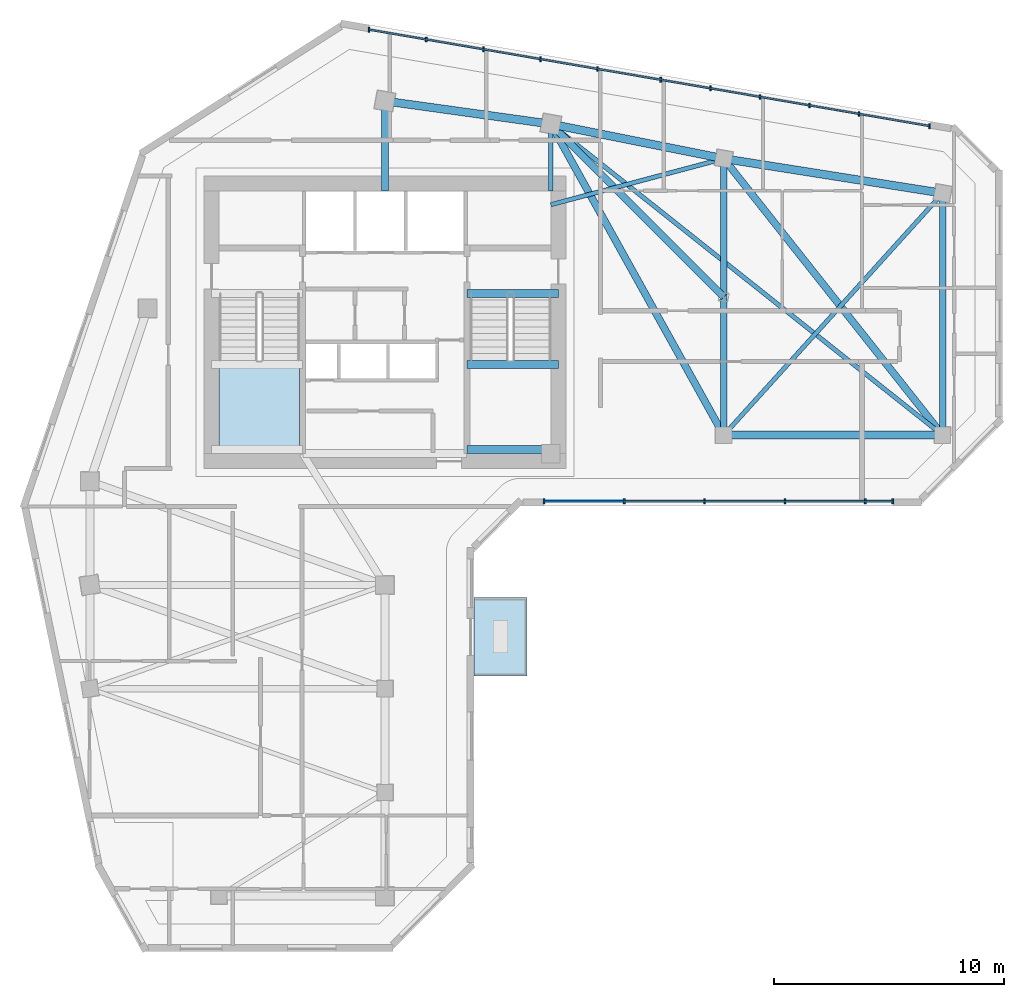
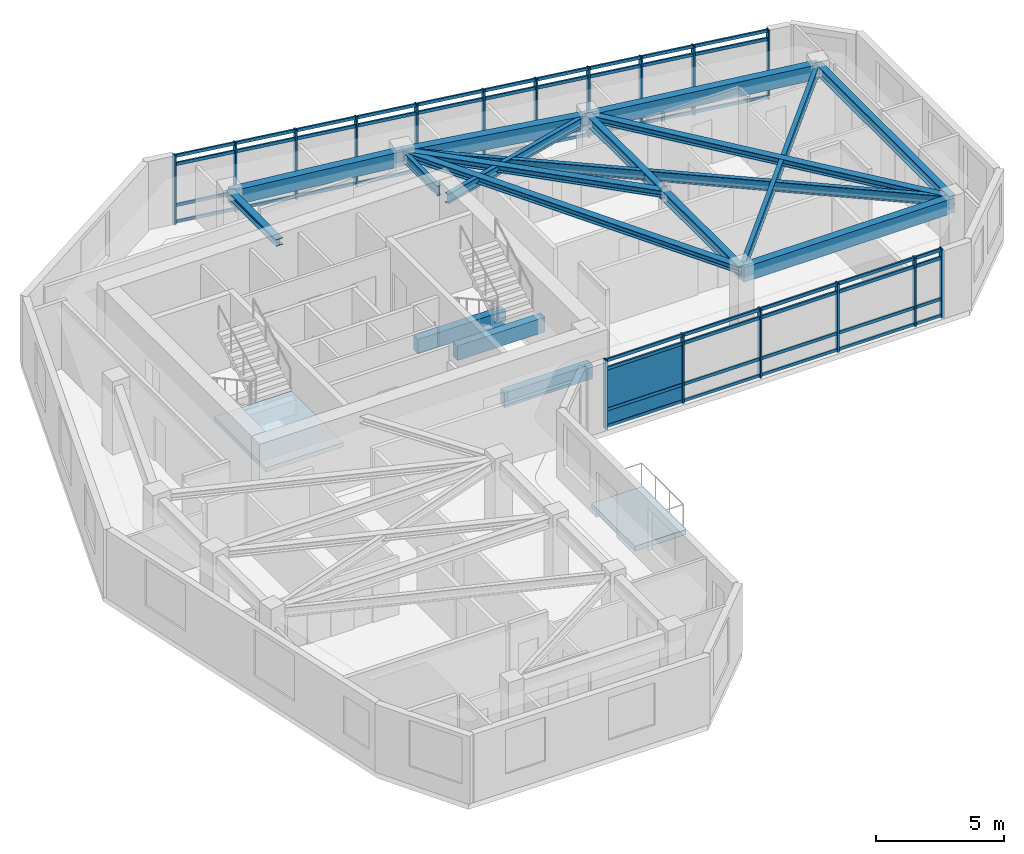
# One storey, part 2 of 10: 25 members, 17 beams, 2 plates, 2 slabs, 3 elements without a shape of their own.
"""IFC4 building model written with IfcOpenShell, lengths in metres."""

from ifc_helpers import new_model, si_unit, direction, frame, frame_2d, origin, origin_2d, place, context, subcontext, project, spatial, polyline, rectangle, i_section, outline, extrude, source, transform, mapped, material, layer, layer_set, material_profile, profile_set, type_object, element, aggregate, save


model = new_model("IFC4")

# Units and contexts
model_context = context("Model", 3, precision=1e-05, world=origin(), true_north=direction((0.0, 1.0)))
body_context = subcontext(model_context, "Body", "Model", "MODEL_VIEW")
ifc_project = project(units=[si_unit("LENGTHUNIT", "METRE"), si_unit("AREAUNIT", "SQUARE_METRE"), si_unit("VOLUMEUNIT", "CUBIC_METRE"), si_unit("PLANEANGLEUNIT", "RADIAN"), si_unit("MASSUNIT", "GRAM", prefix="KILO")], contexts=[model_context])

# Site, building, storey
site_placement = place(None, origin())
site = spatial("IfcSite", under=ifc_project, at=site_placement, CompositionType="ELEMENT")
building_placement = place(site_placement, origin())
building = spatial("IfcBuilding", under=site, at=building_placement, Name="Calvemar Wedge Station Tower", CompositionType="ELEMENT")
storey_placement = place(building_placement, frame((0.0, 0.0, 197.39990234375)))
storey = spatial("IfcBuildingStorey", under=building, at=storey_placement, Name="L49", CompositionType="ELEMENT", Elevation=197.39990234375)

# Beams
ifc_material_1 = material(Name="Structural steel ASTM A572 Grade 50", Category="steel")
ifc_material_profile_1 = material_profile(ifc_material_1, i_section(OverallWidth=0.30908203125, OverallDepth=0.322998046875, WebThickness=0.013916015625, FlangeThickness=0.02294921875, FilletRadius=0.014892578125, at=origin_2d()), Name="W310x143")
ifc_profile_set_1 = profile_set([ifc_material_profile_1], Name="Structural steel ASTM A572 Grade 50")
beam_type_1 = type_object("IfcBeamType", Name="BM-J5-W310H", PredefinedType="JOIST", material=ifc_profile_set_1)
shared_shape_1 = source(origin(), body_context, "Body", "SweptSolid", [
    extrude(i_section(OverallWidth=0.30908203125, OverallDepth=0.322998046875, WebThickness=0.013916015625, FlangeThickness=0.02294921875, FilletRadius=0.014892578125, at=origin_2d()), origin(), (0.0, 0.0, 1.0), 15.443359375),
])
beam_1_placement = place(storey_placement, frame((31.0, 48.5, 3.088623046875), z_axis=(0.485642931179, -0.874157276122, 0.0), x_axis=(0.874157276122, 0.485642931179, 0.0)))
element("IfcBeam", 1, at=beam_1_placement, inside=storey, type_object=beam_type_1, Name="Storey L49 Floor Beam T-N2-T-NL2", PredefinedType="JOIST", context=body_context, shape_type="MappedRepresentation", body=[
    mapped(shared_shape_1, transform((0.0, 0.0, 0.0), scale=1.0)),
])
ifc_material_profile_2 = material_profile(ifc_material_1, i_section(OverallWidth=0.19189453125, OverallDepth=0.462890625, WebThickness=0.010498046875, FlangeThickness=0.017578125, FilletRadius=0.012939453125, at=origin_2d()), Name="W460x89")
ifc_profile_set_2 = profile_set([ifc_material_profile_2], Name="Structural steel ASTM A572 Grade 50")
beam_type_2 = type_object("IfcBeamType", Name="BM-J1-W460", PredefinedType="JOIST", material=ifc_profile_set_2)
shared_shape_2 = source(origin(), body_context, "Body", "SweptSolid", [
    extrude(i_section(OverallWidth=0.19189453125, OverallDepth=0.462890625, WebThickness=0.010498046875, FlangeThickness=0.017578125, FilletRadius=0.012939453125, at=origin_2d()), origin(), (0.0, 0.0, 1.0), 21.708251953125),
])
beam_2_placement = place(storey_placement, frame((31.0, 48.5, 3.0185546875), z_axis=(0.783110847498, -0.621882143602, 0.0), x_axis=(0.621882143602, 0.783110847498, 0.0)))
element("IfcBeam", 2, at=beam_2_placement, inside=storey, type_object=beam_type_2, Name="Storey L49 Floor Beam T-N2-T-NL3", PredefinedType="JOIST", context=body_context, shape_type="MappedRepresentation", body=[
    mapped(shared_shape_2, transform((0.0, 0.0, 0.0), scale=1.0)),
])
shared_shape_3 = source(origin(), body_context, "Body", "SweptSolid", [
    extrude(i_section(OverallWidth=0.30908203125, OverallDepth=0.322998046875, WebThickness=0.013916015625, FlangeThickness=0.02294921875, FilletRadius=0.014892578125, at=origin_2d()), origin(), (0.0, 0.0, 1.0), 15.30517578125),
])
beam_3_placement = place(storey_placement, frame((38.5, 47.0, 3.088623046875), z_axis=(0.620702944366, -0.784045824462, 0.0), x_axis=(0.784045824462, 0.620702944366, 0.0)))
element("IfcBeam", 3, at=beam_3_placement, inside=storey, type_object=beam_type_1, Name="Storey L49 Floor Beam T-NU3-T-NL3", PredefinedType="JOIST", context=body_context, shape_type="MappedRepresentation", body=[
    mapped(shared_shape_3, transform((0.0, 0.0, 0.0), scale=1.0)),
])
shared_shape_4 = source(origin(), body_context, "Body", "SweptSolid", [
    extrude(i_section(OverallWidth=0.19189453125, OverallDepth=0.462890625, WebThickness=0.010498046875, FlangeThickness=0.017578125, FilletRadius=0.012939453125, at=origin_2d()), origin(), (0.0, 0.0, 1.0), 14.159912109375),
])
beam_4_placement = place(storey_placement, frame((38.5, 35.0, 3.0185546875), z_axis=(0.670913323969, 0.741535779124, 0.0), x_axis=(-0.741535779124, 0.670913323969, 0.0)))
element("IfcBeam", 4, at=beam_4_placement, inside=storey, type_object=beam_type_2, Name="Storey L49 Floor Beam T-NL2-T-NU4", PredefinedType="JOIST", context=body_context, shape_type="MappedRepresentation", body=[
    mapped(shared_shape_4, transform((0.0, 0.0, 0.0), scale=1.0)),
])
shared_shape_5 = source(origin(), body_context, "Body", "SweptSolid", [
    extrude(i_section(OverallWidth=0.19189453125, OverallDepth=0.462890625, WebThickness=0.010498046875, FlangeThickness=0.017578125, FilletRadius=0.012939453125, at=origin_2d()), origin(), (0.0, 0.0, 1.0), 7.76220703125),
])
beam_5_placement = place(storey_placement, frame((31.0, 45.0, 3.0185546875), z_axis=(0.966234939601, 0.25766265056, 0.0), x_axis=(-0.25766265056, 0.966234939601, 0.0)))
element("IfcBeam", 5, at=beam_5_placement, inside=storey, type_object=beam_type_2, Name="Storey L49 Core-to-Column Joist CJ-E2", PredefinedType="JOIST", context=body_context, shape_type="MappedRepresentation", body=[
    mapped(shared_shape_5, transform((0.0, 0.0, 0.0), scale=1.0)),
])
shared_shape_6 = source(origin(), body_context, "Body", "SweptSolid", [
    extrude(i_section(OverallWidth=0.30908203125, OverallDepth=0.322998046875, WebThickness=0.013916015625, FlangeThickness=0.02294921875, FilletRadius=0.014892578125, at=origin_2d()), origin(), (0.0, 0.0, 1.0), 3.89990234375),
])
beam_6_placement = place(storey_placement, frame((23.800048828125, 45.60009765625, 3.088623046875), z_axis=(0.0, 1.0, 0.0), x_axis=(-1.0, 0.0, 0.0)))
element("IfcBeam", 6, at=beam_6_placement, inside=storey, type_object=beam_type_1, Name="Storey L49 Core-to-Column Joist CJ-N1", PredefinedType="JOIST", context=body_context, shape_type="MappedRepresentation", body=[
    mapped(shared_shape_6, transform((0.0, 0.0, 0.0), scale=1.0)),
])
shared_shape_7 = source(origin(), body_context, "Body", "SweptSolid", [
    extrude(i_section(OverallWidth=0.19189453125, OverallDepth=0.462890625, WebThickness=0.010498046875, FlangeThickness=0.017578125, FilletRadius=0.012939453125, at=origin_2d()), origin(), (0.0, 0.0, 1.0), 2.89990234375),
])
beam_7_placement = place(storey_placement, frame((31.0, 45.60009765625, 3.0185546875), z_axis=(0.0, 1.0, 0.0), x_axis=(-1.0, 0.0, 0.0)))
element("IfcBeam", 7, at=beam_7_placement, inside=storey, type_object=beam_type_2, Name="Storey L49 Core-to-Column Joist CJ-N2", PredefinedType="JOIST", context=body_context, shape_type="MappedRepresentation", body=[
    mapped(shared_shape_7, transform((0.0, 0.0, 0.0), scale=1.0)),
])
shared_shape_8 = source(origin(), body_context, "Body", "SweptSolid", [
    extrude(i_section(OverallWidth=0.30908203125, OverallDepth=0.322998046875, WebThickness=0.013916015625, FlangeThickness=0.02294921875, FilletRadius=0.014892578125, at=origin_2d()), origin(), (0.0, 0.0, 1.0), 10.606689453125),
])
beam_8_placement = place(storey_placement, frame((38.5, 41.0, 3.088623046875), z_axis=(-0.707106781187, 0.707106781187, 0.0), x_axis=(-0.707106781187, -0.707106781187, 0.0)))
element("IfcBeam", 8, at=beam_8_placement, inside=storey, type_object=beam_type_1, Name="Storey L49 Floor Beam T-NTIP-B-T-N2", PredefinedType="JOIST", context=body_context, shape_type="MappedRepresentation", body=[
    mapped(shared_shape_8, transform((0.0, 0.0, 0.0), scale=1.0)),
])
ifc_material_2 = material(Name="Concrete C70", Category="concrete")
ifc_material_profile_3 = material_profile(ifc_material_2, rectangle(XDim=0.35009765625, YDim=0.699951171875, at=origin_2d()), Name="RC350x700")
ifc_profile_set_3 = profile_set([ifc_material_profile_3], Name="Concrete C70")
beam_type_3 = type_object("IfcBeamType", Name="BM-LN1-700", PredefinedType="LINTEL", material=ifc_profile_set_3)
shared_shape_9 = source(origin(), body_context, "Body", "SweptSolid", [
    extrude(rectangle(XDim=0.35009765625, YDim=0.699951171875, at=origin_2d()), origin(), (0.0, 0.0, 1.0), 3.954833984375),
])
for number, where, z_axis, x_axis, name in (
    (9, (27.3701171875, 41.14990234375, -0.349853515625), (1.0, 0.0, 0.0), (0.0, 1.0, 0.0), "Storey L49 Stair ST-C2 Landing Trimmer Beam"),
    (10, (27.3701171875, 34.3798828125, 1.2001953125), (1.0, 0.0, 0.0), (0.0, 1.0, 0.0), "Storey L49 Stair ST-C2 Half-Landing Beam 1A"),
    (11, (27.3701171875, 38.070068359375, 1.2001953125), (1.0, 0.0, 0.0), (0.0, 1.0, 0.0), "Storey L49 Stair ST-C2 Half-Landing Beam 1B"),
):
    element("IfcBeam", number, at=place(storey_placement, frame(where, z_axis=z_axis, x_axis=x_axis)), inside=storey, type_object=beam_type_3, Name=name, PredefinedType="LINTEL", context=body_context, shape_type="MappedRepresentation", body=[
        mapped(shared_shape_9, transform((0.0, 0.0, 0.0), scale=1.0)),
    ])
ifc_material_3 = material(Name="Concrete C50", Category="concrete")
ifc_material_profile_4 = material_profile(ifc_material_3, rectangle(XDim=0.35009765625, YDim=0.699951171875, at=origin_2d()), Name="RC350x700")
ifc_profile_set_4 = profile_set([ifc_material_profile_4], Name="Concrete C50")
beam_type_4 = type_object("IfcBeamType", Name="BM-SP2-700", PredefinedType="SPANDREL", material=ifc_profile_set_4)
shared_shape_10 = source(origin(), body_context, "Body", "SweptSolid", [
    extrude(rectangle(XDim=0.35009765625, YDim=0.699951171875, at=origin_2d()), origin(), (0.0, 0.0, 1.0), 7.26904296875),
])
beam_9_placement = place(storey_placement, frame((23.800048828125, 49.5, 2.900146484375), z_axis=(0.990492146053, -0.13756928657, 0.0), x_axis=(0.13756928657, 0.990492146053, 0.0)))
element("IfcBeam", 12, at=beam_9_placement, inside=storey, type_object=beam_type_4, Name="Storey L49 Spandrel T-N1-T-N2", PredefinedType="SPANDREL", context=body_context, shape_type="MappedRepresentation", body=[
    mapped(shared_shape_10, transform((0.0, 0.0, 0.0), scale=1.0)),
])
shared_shape_11 = source(origin(), body_context, "Body", "SweptSolid", [
    extrude(rectangle(XDim=0.35009765625, YDim=0.699951171875, at=origin_2d()), origin(), (0.0, 0.0, 1.0), 7.6484375),
])
beam_10_placement = place(storey_placement, frame((31.0, 48.5, 2.900146484375), z_axis=(0.980580675691, -0.196116135138, 0.0), x_axis=(0.196116135138, 0.980580675691, 0.0)))
element("IfcBeam", 13, at=beam_10_placement, inside=storey, type_object=beam_type_4, Name="Storey L49 Spandrel T-N2-T-NU3", PredefinedType="SPANDREL", context=body_context, shape_type="MappedRepresentation", body=[
    mapped(shared_shape_11, transform((0.0, 0.0, 0.0), scale=1.0)),
])
shared_shape_12 = source(origin(), body_context, "Body", "SweptSolid", [
    extrude(rectangle(XDim=0.35009765625, YDim=0.699951171875, at=origin_2d()), origin(), (0.0, 0.0, 1.0), 9.61767578125),
])
beam_11_placement = place(storey_placement, frame((38.5, 47.0, 2.900146484375), z_axis=(0.987762965329, -0.155962573473, 0.0), x_axis=(0.155962573473, 0.987762965329, 0.0)))
element("IfcBeam", 14, at=beam_11_placement, inside=storey, type_object=beam_type_4, Name="Storey L49 Spandrel T-NU3-T-NU4", PredefinedType="SPANDREL", context=body_context, shape_type="MappedRepresentation", body=[
    mapped(shared_shape_12, transform((0.0, 0.0, 0.0), scale=1.0)),
])
shared_shape_13 = source(origin(), body_context, "Body", "SweptSolid", [
    extrude(rectangle(XDim=0.35009765625, YDim=0.699951171875, at=origin_2d()), origin(), (0.0, 0.0, 1.0), 9.5),
])
beam_12_placement = place(storey_placement, frame((38.5, 35.0, 2.900146484375), z_axis=(1.0, 0.0, 0.0), x_axis=(0.0, 1.0, 0.0)))
element("IfcBeam", 15, at=beam_12_placement, inside=storey, type_object=beam_type_4, Name="Storey L49 Spandrel T-NL2-T-NL3", PredefinedType="SPANDREL", context=body_context, shape_type="MappedRepresentation", body=[
    mapped(shared_shape_13, transform((0.0, 0.0, 0.0), scale=1.0)),
])
ifc_material_profile_5 = material_profile(ifc_material_1, i_section(OverallWidth=0.283935546875, OverallDepth=0.47607421875, WebThickness=0.014892578125, FlangeThickness=0.02392578125, FilletRadius=0.014892578125, at=origin_2d()), Name="W460x158")
ifc_profile_set_5 = profile_set([ifc_material_profile_5], Name="Structural steel ASTM A572 Grade 50")
beam_type_5 = type_object("IfcBeamType", Name="BM-SB5-W460H", PredefinedType="BEAM", material=ifc_profile_set_5)
shared_shape_14 = source(origin(), body_context, "Body", "SweptSolid", [
    extrude(i_section(OverallWidth=0.283935546875, OverallDepth=0.47607421875, WebThickness=0.014892578125, FlangeThickness=0.02392578125, FilletRadius=0.014892578125, at=origin_2d()), origin(), (0.0, 0.0, 1.0), 12.0),
])
beam_13_placement = place(storey_placement, frame((38.5, 47.0, 3.01220703125), z_axis=(0.0, -1.0, 0.0), x_axis=(1.0, 0.0, 0.0)))
element("IfcBeam", 16, at=beam_13_placement, inside=storey, type_object=beam_type_5, Name="Storey L49 Floor Beam T-NU3-T-NL2", PredefinedType="BEAM", context=body_context, shape_type="MappedRepresentation", body=[
    mapped(shared_shape_14, transform((0.0, 0.0, 0.0), scale=1.0)),
])
shared_shape_15 = source(origin(), body_context, "Body", "SweptSolid", [
    extrude(i_section(OverallWidth=0.283935546875, OverallDepth=0.47607421875, WebThickness=0.014892578125, FlangeThickness=0.02392578125, FilletRadius=0.014892578125, at=origin_2d()), origin(), (0.0, 0.0, 1.0), 10.5),
])
beam_14_placement = place(storey_placement, frame((48.0, 45.5, 3.01220703125), z_axis=(0.0, -1.0, 0.0), x_axis=(1.0, 0.0, 0.0)))
element("IfcBeam", 17, at=beam_14_placement, inside=storey, type_object=beam_type_5, Name="Storey L49 Floor Beam T-NU4-T-NL3", PredefinedType="BEAM", context=body_context, shape_type="MappedRepresentation", body=[
    mapped(shared_shape_15, transform((0.0, 0.0, 0.0), scale=1.0)),
])

# Curtain wall, members
ifc_material_4 = material(Name="Anodised aluminium 6063-T6", Category="aluminium")
curtain_wall_type = type_object("IfcCurtainWallType", Name="CW3", PredefinedType="NOTDEFINED", material=ifc_material_4)
curtain_wall_1_placement = place(storey_placement, origin())
curtain_wall_1 = element("IfcCurtainWall", 18, at=curtain_wall_1_placement, inside=storey, type_object=curtain_wall_type, Name="Storey L49 CW3 Recessed Unitised Curtain Wall 6", PredefinedType="NOTDEFINED")
ifc_material_profile_6 = material_profile(ifc_material_4, rectangle(XDim=0.074951171875, YDim=0.2099609375, at=origin_2d()), Name="AL-MUL-75x210")
ifc_profile_set_6 = profile_set([ifc_material_profile_6], Name="Anodised aluminium 6063-T6")
member_type_1 = type_object("IfcMemberType", Name="CW3-MUL", PredefinedType="MULLION", material=ifc_profile_set_6)
shared_shape_16 = source(origin(), body_context, "Body", "SweptSolid", [
    extrude(rectangle(XDim=0.074951171875, YDim=0.2099609375, at=origin_2d()), origin(), (0.0, 0.0, 1.0), 3.2998046875),
])
member_1_placement = place(storey_placement, frame((30.701904296875, 32.134033203125, -0.0498046875), z_axis=(0.0, 0.0, 1.0), x_axis=(1.0, 0.0, 0.0)))
member_1 = element("IfcMember", 19, at=member_1_placement, type_object=member_type_1, Name="CW3 mullion 1", PredefinedType="MULLION", context=body_context, shape_type="MappedRepresentation", body=[
    mapped(shared_shape_16, transform((0.0, 0.0, 0.0), scale=1.0)),
])
member_2_placement = place(storey_placement, frame((34.186279296875, 32.134033203125, -0.0498046875), z_axis=(0.0, 0.0, 1.0), x_axis=(1.0, 0.0, 0.0)))
member_2 = element("IfcMember", 20, at=member_2_placement, type_object=member_type_1, Name="CW3 mullion 2", PredefinedType="MULLION", context=body_context, shape_type="MappedRepresentation", body=[
    mapped(shared_shape_16, transform((0.0, 0.0, 0.0), scale=1.0)),
])
member_3_placement = place(storey_placement, frame((37.6708984375, 32.134033203125, -0.0498046875), z_axis=(0.0, 0.0, 1.0), x_axis=(1.0, 0.0, 0.0)))
member_3 = element("IfcMember", 21, at=member_3_placement, type_object=member_type_1, Name="CW3 mullion 3", PredefinedType="MULLION", context=body_context, shape_type="MappedRepresentation", body=[
    mapped(shared_shape_16, transform((0.0, 0.0, 0.0), scale=1.0)),
])
member_4_placement = place(storey_placement, frame((41.155517578125, 32.134033203125, -0.0498046875), z_axis=(0.0, 0.0, 1.0), x_axis=(1.0, 0.0, 0.0)))
member_4 = element("IfcMember", 22, at=member_4_placement, type_object=member_type_1, Name="CW3 mullion 4", PredefinedType="MULLION", context=body_context, shape_type="MappedRepresentation", body=[
    mapped(shared_shape_16, transform((0.0, 0.0, 0.0), scale=1.0)),
])
member_5_placement = place(storey_placement, frame((44.639892578125, 32.134033203125, -0.0498046875), z_axis=(0.0, 0.0, 1.0), x_axis=(1.0, 0.0, 0.0)))
member_5 = element("IfcMember", 23, at=member_5_placement, type_object=member_type_1, Name="CW3 mullion 5", PredefinedType="MULLION", context=body_context, shape_type="MappedRepresentation", body=[
    mapped(shared_shape_16, transform((0.0, 0.0, 0.0), scale=1.0)),
])
member_6_placement = place(storey_placement, frame((45.837890625, 32.134033203125, -0.0498046875), z_axis=(0.0, 0.0, 1.0), x_axis=(1.0, 0.0, 0.0)))
member_6 = element("IfcMember", 24, at=member_6_placement, type_object=member_type_1, Name="CW3 mullion 6", PredefinedType="MULLION", context=body_context, shape_type="MappedRepresentation", body=[
    mapped(shared_shape_16, transform((0.0, 0.0, 0.0), scale=1.0)),
])

curtain_wall_2_placement = place(storey_placement, origin())
curtain_wall_2 = element("IfcCurtainWall", 25, at=curtain_wall_2_placement, inside=storey, type_object=curtain_wall_type, Name="Storey L49 CW3 Recessed Unitised Curtain Wall 10", PredefinedType="NOTDEFINED")
member_7_placement = place(storey_placement, frame((47.433349609375, 48.41162109375, -0.0498046875), z_axis=(0.0, 0.0, 1.0), x_axis=(1.0, 0.0, 0.0)))
member_7 = element("IfcMember", 26, at=member_7_placement, type_object=member_type_1, Name="CW3 mullion 1", PredefinedType="MULLION", context=body_context, shape_type="MappedRepresentation", body=[
    mapped(shared_shape_16, transform((0.0, 0.0, 0.0), scale=1.0)),
])
member_8_placement = place(storey_placement, frame((44.371337890625, 48.9384765625, -0.0498046875), z_axis=(0.0, 0.0, 1.0), x_axis=(1.0, 0.0, 0.0)))
member_8 = element("IfcMember", 27, at=member_8_placement, type_object=member_type_1, Name="CW3 mullion 2", PredefinedType="MULLION", context=body_context, shape_type="MappedRepresentation", body=[
    mapped(shared_shape_16, transform((0.0, 0.0, 0.0), scale=1.0)),
])
member_9_placement = place(storey_placement, frame((42.221435546875, 49.30810546875, -0.0498046875), z_axis=(0.0, 0.0, 1.0), x_axis=(1.0, 0.0, 0.0)))
member_9 = element("IfcMember", 28, at=member_9_placement, type_object=member_type_1, Name="CW3 mullion 3", PredefinedType="MULLION", context=body_context, shape_type="MappedRepresentation", body=[
    mapped(shared_shape_16, transform((0.0, 0.0, 0.0), scale=1.0)),
])
member_10_placement = place(storey_placement, frame((40.0712890625, 49.677978515625, -0.0498046875), z_axis=(0.0, 0.0, 1.0), x_axis=(1.0, 0.0, 0.0)))
member_10 = element("IfcMember", 29, at=member_10_placement, type_object=member_type_1, Name="CW3 mullion 4", PredefinedType="MULLION", context=body_context, shape_type="MappedRepresentation", body=[
    mapped(shared_shape_16, transform((0.0, 0.0, 0.0), scale=1.0)),
])
member_11_placement = place(storey_placement, frame((37.92138671875, 50.048095703125, -0.0498046875), z_axis=(0.0, 0.0, 1.0), x_axis=(1.0, 0.0, 0.0)))
member_11 = element("IfcMember", 30, at=member_11_placement, type_object=member_type_1, Name="CW3 mullion 5", PredefinedType="MULLION", context=body_context, shape_type="MappedRepresentation", body=[
    mapped(shared_shape_16, transform((0.0, 0.0, 0.0), scale=1.0)),
])
member_12_placement = place(storey_placement, frame((35.771240234375, 50.417724609375, -0.0498046875), z_axis=(0.0, 0.0, 1.0), x_axis=(1.0, 0.0, 0.0)))
member_12 = element("IfcMember", 31, at=member_12_placement, type_object=member_type_1, Name="CW3 mullion 6", PredefinedType="MULLION", context=body_context, shape_type="MappedRepresentation", body=[
    mapped(shared_shape_16, transform((0.0, 0.0, 0.0), scale=1.0)),
])
member_13_placement = place(storey_placement, frame((33.021240234375, 50.890869140625, -0.0498046875), z_axis=(0.0, 0.0, 1.0), x_axis=(1.0, 0.0, 0.0)))
member_13 = element("IfcMember", 32, at=member_13_placement, type_object=member_type_1, Name="CW3 mullion 7", PredefinedType="MULLION", context=body_context, shape_type="MappedRepresentation", body=[
    mapped(shared_shape_16, transform((0.0, 0.0, 0.0), scale=1.0)),
])
member_14_placement = place(storey_placement, frame((30.54638671875, 51.316650390625, -0.0498046875), z_axis=(0.0, 0.0, 1.0), x_axis=(1.0, 0.0, 0.0)))
member_14 = element("IfcMember", 33, at=member_14_placement, type_object=member_type_1, Name="CW3 mullion 8", PredefinedType="MULLION", context=body_context, shape_type="MappedRepresentation", body=[
    mapped(shared_shape_16, transform((0.0, 0.0, 0.0), scale=1.0)),
])
member_15_placement = place(storey_placement, frame((28.0712890625, 51.742431640625, -0.0498046875), z_axis=(0.0, 0.0, 1.0), x_axis=(1.0, 0.0, 0.0)))
member_15 = element("IfcMember", 34, at=member_15_placement, type_object=member_type_1, Name="CW3 mullion 9", PredefinedType="MULLION", context=body_context, shape_type="MappedRepresentation", body=[
    mapped(shared_shape_16, transform((0.0, 0.0, 0.0), scale=1.0)),
])
member_16_placement = place(storey_placement, frame((25.58837890625, 52.169677734375, -0.0498046875), z_axis=(0.0, 0.0, 1.0), x_axis=(1.0, 0.0, 0.0)))
member_16 = element("IfcMember", 35, at=member_16_placement, type_object=member_type_1, Name="CW3 mullion 10", PredefinedType="MULLION", context=body_context, shape_type="MappedRepresentation", body=[
    mapped(shared_shape_16, transform((0.0, 0.0, 0.0), scale=1.0)),
])
member_17_placement = place(storey_placement, frame((23.105712890625, 52.5966796875, -0.0498046875), z_axis=(0.0, 0.0, 1.0), x_axis=(1.0, 0.0, 0.0)))
member_17 = element("IfcMember", 36, at=member_17_placement, type_object=member_type_1, Name="CW3 mullion 11", PredefinedType="MULLION", context=body_context, shape_type="MappedRepresentation", body=[
    mapped(shared_shape_16, transform((0.0, 0.0, 0.0), scale=1.0)),
])
ifc_material_profile_7 = material_profile(ifc_material_4, rectangle(XDim=0.074951171875, YDim=0.14501953125, at=origin_2d()), Name="AL-TRN-75x145")
ifc_profile_set_7 = profile_set([ifc_material_profile_7], Name="Anodised aluminium 6063-T6")
member_type_2 = type_object("IfcMemberType", Name="CW3-TRN", PredefinedType="USERDEFINED", material=ifc_profile_set_7)
shared_shape_17 = source(origin(), body_context, "Body", "SweptSolid", [
    extrude(rectangle(XDim=0.074951171875, YDim=0.14501953125, at=origin_2d()), origin(), (0.0, 0.0, 1.0), 24.68505859375),
])
member_18_placement = place(storey_placement, frame((47.433349609375, 48.41162109375, 0.06005859375), z_axis=(-0.985523545507, 0.16953861286, 0.0), x_axis=(-0.16953861286, -0.985523545507, 0.0)))
member_18 = element("IfcMember", 37, at=member_18_placement, type_object=member_type_2, Name="CW3 transom 1", ObjectType="TRANSOM", PredefinedType="USERDEFINED", context=body_context, shape_type="MappedRepresentation", body=[
    mapped(shared_shape_17, transform((0.0, 0.0, 0.0), scale=1.0)),
])
member_19_placement = place(storey_placement, frame((47.433349609375, 48.41162109375, 0.85009765625), z_axis=(-0.985523545507, 0.16953861286, 0.0), x_axis=(-0.16953861286, -0.985523545507, 0.0)))
member_19 = element("IfcMember", 38, at=member_19_placement, type_object=member_type_2, Name="CW3 transom 2", ObjectType="TRANSOM", PredefinedType="USERDEFINED", context=body_context, shape_type="MappedRepresentation", body=[
    mapped(shared_shape_17, transform((0.0, 0.0, 0.0), scale=1.0)),
])
member_20_placement = place(storey_placement, frame((47.433349609375, 48.41162109375, 2.800048828125), z_axis=(-0.985523545507, 0.16953861286, 0.0), x_axis=(-0.16953861286, -0.985523545507, 0.0)))
member_20 = element("IfcMember", 39, at=member_20_placement, type_object=member_type_2, Name="CW3 transom 3", ObjectType="TRANSOM", PredefinedType="USERDEFINED", context=body_context, shape_type="MappedRepresentation", body=[
    mapped(shared_shape_17, transform((0.0, 0.0, 0.0), scale=1.0)),
])
member_21_placement = place(storey_placement, frame((47.433349609375, 48.41162109375, 3.190185546875), z_axis=(-0.985523545507, 0.16953861286, 0.0), x_axis=(-0.16953861286, -0.985523545507, 0.0)))
member_21 = element("IfcMember", 40, at=member_21_placement, type_object=member_type_2, Name="CW3 transom 4", ObjectType="TRANSOM", PredefinedType="USERDEFINED", context=body_context, shape_type="MappedRepresentation", body=[
    mapped(shared_shape_17, transform((0.0, 0.0, 0.0), scale=1.0)),
])
aggregate(curtain_wall_2, [member_7, member_8, member_9, member_10, member_11, member_12, member_13, member_14, member_15, member_16, member_17, member_18, member_19, member_20, member_21])

# Member
shared_shape_18 = source(origin(), body_context, "Body", "SweptSolid", [
    extrude(rectangle(XDim=0.074951171875, YDim=0.14501953125, at=origin_2d()), origin(), (0.0, 0.0, 1.0), 15.135986328125),
])
member_22_placement = place(storey_placement, frame((30.701904296875, 32.134033203125, 0.06005859375), z_axis=(1.0, 0.0, 0.0), x_axis=(0.0, 1.0, 0.0)))
member_22 = element("IfcMember", 41, at=member_22_placement, type_object=member_type_2, Name="CW3 transom 1", ObjectType="TRANSOM", PredefinedType="USERDEFINED", context=body_context, shape_type="MappedRepresentation", body=[
    mapped(shared_shape_18, transform((0.0, 0.0, 0.0), scale=1.0)),
])

member_23_placement = place(storey_placement, frame((30.701904296875, 32.134033203125, 0.85009765625), z_axis=(1.0, 0.0, 0.0), x_axis=(0.0, 1.0, 0.0)))
member_23 = element("IfcMember", 42, at=member_23_placement, type_object=member_type_2, Name="CW3 transom 2", ObjectType="TRANSOM", PredefinedType="USERDEFINED", context=body_context, shape_type="MappedRepresentation", body=[
    mapped(shared_shape_18, transform((0.0, 0.0, 0.0), scale=1.0)),
])

member_24_placement = place(storey_placement, frame((30.701904296875, 32.134033203125, 2.800048828125), z_axis=(1.0, 0.0, 0.0), x_axis=(0.0, 1.0, 0.0)))
member_24 = element("IfcMember", 43, at=member_24_placement, type_object=member_type_2, Name="CW3 transom 3", ObjectType="TRANSOM", PredefinedType="USERDEFINED", context=body_context, shape_type="MappedRepresentation", body=[
    mapped(shared_shape_18, transform((0.0, 0.0, 0.0), scale=1.0)),
])

member_25_placement = place(storey_placement, frame((30.701904296875, 32.134033203125, 3.190185546875), z_axis=(1.0, 0.0, 0.0), x_axis=(0.0, 1.0, 0.0)))
member_25 = element("IfcMember", 44, at=member_25_placement, type_object=member_type_2, Name="CW3 transom 4", ObjectType="TRANSOM", PredefinedType="USERDEFINED", context=body_context, shape_type="MappedRepresentation", body=[
    mapped(shared_shape_18, transform((0.0, 0.0, 0.0), scale=1.0)),
])

# Plate
ifc_material_5 = material(Name="Low-E laminated insulated glass", Category="glass")
ifc_layer_1 = layer(ifc_material_5, 0.028076171875)
ifc_layer_set_1 = layer_set([ifc_layer_1], Name="Low-E laminated insulated glass")
plate_type_1 = type_object("IfcPlateType", Name="CW3-GLZ", PredefinedType="CURTAIN_PANEL", material=ifc_layer_set_1)
plate_1_placement = place(storey_placement, frame((30.719970703125, 32.134033203125, 0.8701171875), z_axis=(0.0, 0.0, 1.0), x_axis=(1.0, 0.0, 0.0)))
plate_1 = element("IfcPlate", 45, at=plate_1_placement, type_object=plate_type_1, Name="CW3 vision glass panel 1", PredefinedType="CURTAIN_PANEL", context=body_context, shape_type="SweptSolid", body=[
    extrude(rectangle(XDim=3.448486328125, YDim=0.028076171875, at=frame_2d((1.72412109375, 0.0))), origin(), (0.0, 0.0, 1.0), 1.909912109375),
])

ifc_material_6 = material(Name="Oxidized bronze aluminium spandrel panel 5005-H24", Category="aluminium")
ifc_layer_2 = layer(ifc_material_6, 0.0400390625)
ifc_layer_set_2 = layer_set([ifc_layer_2], Name="Oxidized bronze aluminium spandrel panel 5005-H24")
plate_type_2 = type_object("IfcPlateType", Name="CW3-SPD", PredefinedType="SHEET", material=ifc_layer_set_2)
plate_2_placement = place(storey_placement, frame((30.719970703125, 32.134033203125, 0.080078125), z_axis=(0.0, 0.0, 1.0), x_axis=(1.0, 0.0, 0.0)))
plate_2 = element("IfcPlate", 46, at=plate_2_placement, type_object=plate_type_2, Name="CW3 bronze spandrel panel 1", PredefinedType="SHEET", context=body_context, shape_type="SweptSolid", body=[
    extrude(rectangle(XDim=3.448486328125, YDim=0.0400390625, at=frame_2d((1.72412109375, 0.0))), origin(), (0.0, 0.0, 1.0), 0.75),
])

aggregate(curtain_wall_1, [member_1, member_2, member_3, member_4, member_5, member_6, member_22, member_23, member_24, member_25, plate_2, plate_1])

# Stair, slab
ifc_material_7 = material(Name="Concrete C45", Category="concrete")
stair_type = type_object("IfcStairType", Name="ST-TYPE-3500", PredefinedType="HALF_TURN_STAIR", material=ifc_material_7)
stair_placement = place(storey_placement, origin())
stair = element("IfcStair", 47, at=stair_placement, inside=storey, type_object=stair_type, Name="L49 Pressurized Core Exit Stair ST-C1", PredefinedType="HALF_TURN_STAIR")
ifc_layer_3 = layer(ifc_material_7, 0.199951171875)
ifc_layer_set_3 = layer_set([ifc_layer_3], Name="Concrete C45")
slab_type_1 = type_object("IfcSlabType", Name="SL-STAIR-LND-200", PredefinedType="LANDING", material=ifc_layer_set_3)
slab_1_placement = place(storey_placement, frame((0.0, 0.0, 1.550048828125)))
slab_1 = element("IfcSlab", 48, at=slab_1_placement, type_object=slab_type_1, Name="ST-C1 landing 1", PredefinedType="LANDING", context=body_context, shape_type="SweptSolid", body=[
    extrude(outline(polyline([(16.60009765625, 38.25), (16.60009765625, 34.199951171875), (20.10009765625, 34.199951171875), (20.10009765625, 38.25), (16.60009765625, 38.25)])), origin(), (0.0, 0.0, 1.0), 0.199951171875),
])
aggregate(stair, [slab_1])

# Slab
ifc_layer_4 = layer(ifc_material_7, 0.239990234375)
ifc_layer_set_4 = layer_set([ifc_layer_4], Name="Concrete C45")
slab_type_2 = type_object("IfcSlabType", Name="SL-TERR-240", PredefinedType="FLOOR", material=ifc_layer_set_4)
slab_2_placement = place(storey_placement, frame((0.0, 0.0, -0.239990234375)))
element("IfcSlab", 49, at=slab_2_placement, inside=storey, type_object=slab_type_2, Name="Storey L49 Planted Spiral Terrace Slab", PredefinedType="FLOOR", context=body_context, shape_type="SweptSolid", body=[
    extrude(outline(polyline([(27.6640625, 24.550048828125), (29.964111328125, 24.550048828125), (29.964111328125, 27.949951171875), (27.6640625, 27.949951171875), (27.6640625, 24.550048828125)])), origin(), (0.0, 0.0, 1.0), 0.239990234375),
])

save(model, "model.ifc")
